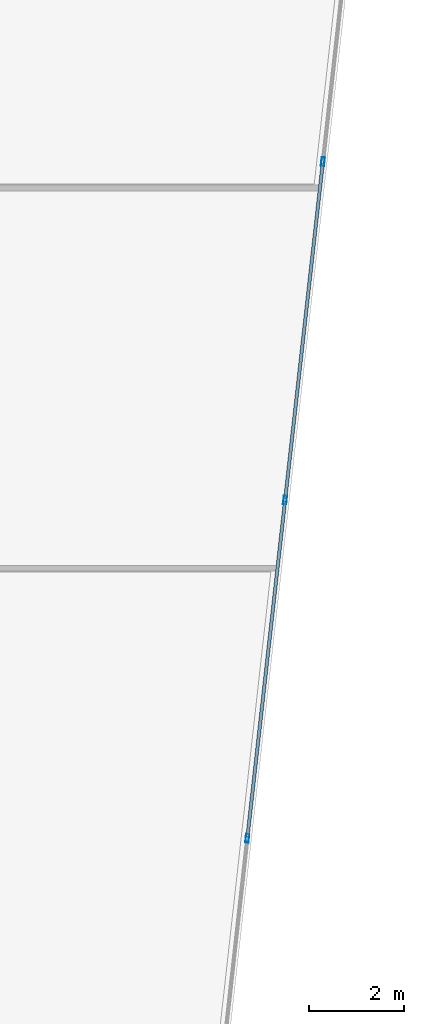
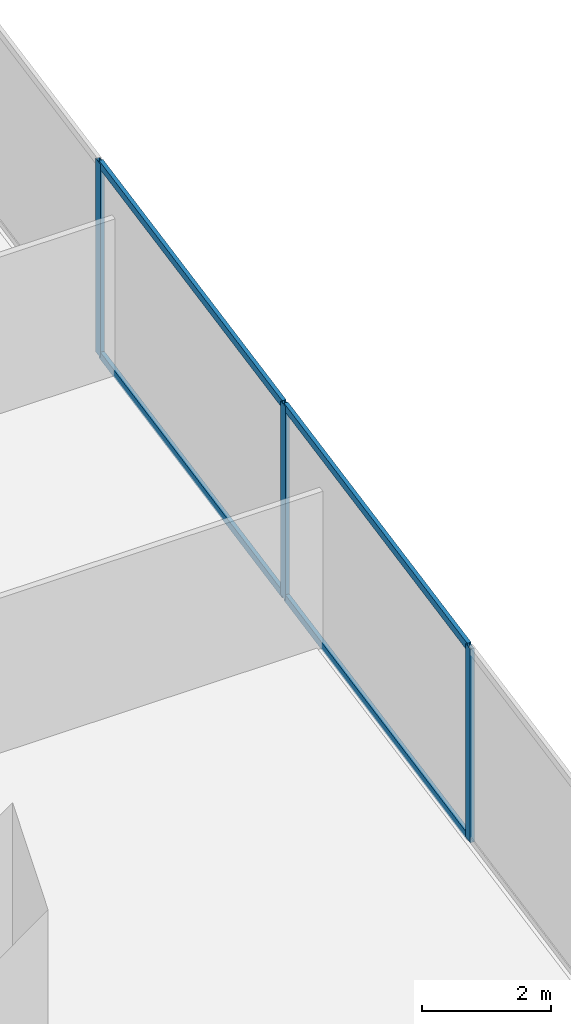
# One storey, part 14 of 31: 7 members, 1 element without a shape of its own.
"""IFC4 building model written with IfcOpenShell, lengths in metres."""

import ifcopenshell
import ifcopenshell.guid

model = None  # the IFC model being written
_history = None  # IfcOwnerHistory: only IFC2X3 demands one
_inside = {}  # id of a spatial element -> (the spatial element, [elements in it])
_under = {}  # id of a project, library or spatial element -> (it, [spatial elements below it])
_declared = {}  # id of a project -> (the project, [libraries it declares])
_typed = {}  # id of a type object -> (the type object, [elements of that type])
_made_of = {}  # id of a material, layer set ... -> (it, [elements and type objects made of it])


def new_model(schema):
    """Start an empty IFC model of exactly this schema.

    Asked for "IFC4X3", IfcOpenShell would pick the latest addendum, in which some entities
    have other attributes; the version numbers below select the first issue.
    IFC2X3 requires an IfcOwnerHistory on every rooted entity: one is made here for all.
    """
    global model, _history
    if schema == "IFC4X3":
        model = ifcopenshell.file(schema_version=(4, 3, 0, 0))
    else:
        model = ifcopenshell.file(schema=schema)
    _inside.clear()
    _under.clear()
    _declared.clear()
    _typed.clear()
    _made_of.clear()
    _history = None
    if model.schema == "IFC2X3":
        org = make("IfcOrganization", Name="unknown")
        user = make(
            "IfcPersonAndOrganization",
            ThePerson=make("IfcPerson", FamilyName="unknown"),
            TheOrganization=org,
        )
        app = make(
            "IfcApplication",
            ApplicationDeveloper=org,
            Version="unknown",
            ApplicationFullName="unknown",
            ApplicationIdentifier="unknown",
        )
        _history = make(
            "IfcOwnerHistory",
            OwningUser=user,
            OwningApplication=app,
            ChangeAction="ADDED",
            CreationDate=0,
        )
    return model


def make(cls, **values):
    """One entity of the class cls with the attributes given. An attribute that is None is left unset."""
    return model.create_entity(
        cls, **{name: value for name, value in values.items() if value is not None}
    )


def rooted(cls, **values):
    """An entity with a GlobalId (a new one), such as an element, a storey or a relation."""
    return make(cls, GlobalId=ifcopenshell.guid.new(), OwnerHistory=_history, **values)


def si_unit(unit_type, name, prefix=None):
    """IfcSIUnit, for example si_unit("LENGTHUNIT", "METRE", prefix="MILLI")."""
    return make("IfcSIUnit", UnitType=unit_type, Prefix=prefix, Name=name)


def assignment(units):
    """IfcUnitAssignment: the units of a project."""
    return None if units is None else make("IfcUnitAssignment", Units=units)


def point(xyz):
    """IfcCartesianPoint."""
    return None if xyz is None else make("IfcCartesianPoint", Coordinates=xyz)


def direction(xyz):
    """IfcDirection."""
    return None if xyz is None else make("IfcDirection", DirectionRatios=xyz)


def frame(location, z_axis=None, x_axis=None):
    """IfcAxis2Placement3D, a coordinate frame: its origin and axes. An axis left out is left unset."""
    return make(
        "IfcAxis2Placement3D",
        Location=point(location),
        Axis=direction(z_axis),
        RefDirection=direction(x_axis),
    )


def frame_2d(location, x_axis=None):
    """IfcAxis2Placement2D, a coordinate frame in the plane: its origin and x axis."""
    return make(
        "IfcAxis2Placement2D", Location=point(location), RefDirection=direction(x_axis)
    )


def origin():
    """The frame at (0, 0, 0) with its axes left unset."""
    return frame((0.0, 0.0, 0.0))


def origin_2d():
    """The frame at (0, 0) in the plane with its x axis left unset."""
    return frame_2d((0.0, 0.0))


def place(relative_to, where):
    """IfcLocalPlacement: puts the frame where relative to a parent placement (None: the world)."""
    return make(
        "IfcLocalPlacement", PlacementRelTo=relative_to, RelativePlacement=where
    )


def context(
    kind, dimensions, precision=None, world=None, true_north=None, identifier=None
):
    """IfcGeometricRepresentationContext, for example the 3D "Model" context."""
    return make(
        "IfcGeometricRepresentationContext",
        ContextIdentifier=identifier,
        ContextType=kind,
        CoordinateSpaceDimension=dimensions,
        Precision=precision,
        WorldCoordinateSystem=world,
        TrueNorth=true_north,
    )


def subcontext(parent, identifier, kind, view, scale=None):
    """IfcGeometricRepresentationSubContext, for example "Body" below "Model"."""
    return make(
        "IfcGeometricRepresentationSubContext",
        ContextIdentifier=identifier,
        ContextType=kind,
        ParentContext=parent,
        TargetScale=scale,
        TargetView=view,
    )


def project(units=None, contexts=None):
    """IfcProject with its units and contexts."""
    return rooted(
        "IfcProject",
        Name="project",
        RepresentationContexts=contexts,
        UnitsInContext=assignment(units),
    )


def spatial(cls, under=None, at=None, **own):
    """A site, building, storey or space (cls), placed at a placement, below another one or the project."""
    s = rooted(cls, ObjectPlacement=at, **own)
    if under is not None:
        _under.setdefault(under.id(), (under, []))[1].append(s)
    return s


def profile(cls, at=None, kind="AREA", **sizes):
    """A parametric profile (cls). Its sizes go by their IFC names, for example OverallWidth=200.0."""
    return make(cls, ProfileType=kind, Position=at, **sizes)


def hollow_rectangle(**sizes):
    """IfcRectangleHollowProfileDef."""
    return profile("IfcRectangleHollowProfileDef", **sizes)


def extrude(swept, where, along, depth):
    """IfcExtrudedAreaSolid: the profile swept, set in the frame where, extruded along a direction by depth."""
    return make(
        "IfcExtrudedAreaSolid",
        SweptArea=swept,
        Position=where,
        ExtrudedDirection=direction(along),
        Depth=depth,
    )


def shape(context_of_items, identifier, shape_type, items):
    """IfcShapeRepresentation: the items that make up one representation, for example the "Body"."""
    return make(
        "IfcShapeRepresentation",
        ContextOfItems=context_of_items,
        RepresentationIdentifier=identifier,
        RepresentationType=shape_type,
        Items=items,
    )


def source(mapping_origin, context_of_items, identifier, shape_type, items):
    """IfcRepresentationMap: a shape defined once, which mapped items show again and again."""
    return make(
        "IfcRepresentationMap",
        MappingOrigin=mapping_origin,
        MappedRepresentation=shape(context_of_items, identifier, shape_type, items),
    )


def transform(
    local_origin,
    x_axis=None,
    y_axis=None,
    z_axis=None,
    scale=None,
    scale2=None,
    scale3=None,
    uniform=True,
):
    """IfcCartesianTransformationOperator3D, or its non-uniform kind. x_axis, y_axis, z_axis: its Axis1, 2, 3."""
    if uniform:
        return make(
            "IfcCartesianTransformationOperator3D",
            Axis1=direction(x_axis),
            Axis2=direction(y_axis),
            LocalOrigin=point(local_origin),
            Scale=scale,
            Axis3=direction(z_axis),
        )
    return make(
        "IfcCartesianTransformationOperator3DnonUniform",
        Axis1=direction(x_axis),
        Axis2=direction(y_axis),
        LocalOrigin=point(local_origin),
        Scale=scale,
        Axis3=direction(z_axis),
        Scale2=scale2,
        Scale3=scale3,
    )


def mapped(mapping_source, mapping_target):
    """IfcMappedItem: shows the shape of a source again, moved by a transform."""
    return make(
        "IfcMappedItem", MappingSource=mapping_source, MappingTarget=mapping_target
    )


def material(Name=None, Category=None):
    """IfcMaterial."""
    return make("IfcMaterial", Name=Name, Category=Category)


def material_profile(
    of_material, cross_section, Name=None, Category=None, Priority=None
):
    """IfcMaterialProfile: a cross section and its material."""
    return make(
        "IfcMaterialProfile",
        Name=Name,
        Material=of_material,
        Profile=cross_section,
        Priority=Priority,
        Category=Category,
    )


def profile_set(profiles, Name=None, composite=None):
    """IfcMaterialProfileSet."""
    return make(
        "IfcMaterialProfileSet",
        Name=Name,
        MaterialProfiles=profiles,
        CompositeProfile=composite,
    )


def made_of(thing, what):
    """Note that an element or type object is made of a material, layer set ...; save() writes the relation."""
    if what is not None:
        _made_of.setdefault(what.id(), (what, []))[1].append(thing)
    return thing


def type_object(cls, material=None, **own):
    """A type object (cls), such as IfcWallType, which elements share."""
    return made_of(rooted(cls, **own), material)


def type_shapes(of_type, sources):
    """Give a type object the sources (RepresentationMaps) that its elements show as mapped items."""
    of_type.RepresentationMaps = sources


def element(
    cls,
    number,
    at=None,
    inside=None,
    cuts=None,
    type_object=None,
    material=None,
    context=None,
    identifier="Body",
    shape_type=None,
    held_by="IfcProductDefinitionShape",
    body=None,
    shapes=None,
    **own,
):
    """One element of the class cls, such as IfcWall. Its Tag is "e" and its number.

    at: its placement. inside: the storey or other place that contains it. cuts: it is an
    opening in that element (IfcRelVoidsElement). A single representation is given by context,
    identifier, shape_type and body (its items); several are given by shapes. held_by: the class
    of the entity that holds the representations. save() writes the other relations.
    """
    e = rooted(cls, Tag="e%d" % number, ObjectPlacement=at, **own)
    if body is not None:
        shapes = [shape(context, identifier, shape_type, body)]
    if shapes is not None:
        e.Representation = make(held_by, Representations=shapes)
    if inside is not None:
        _inside.setdefault(inside.id(), (inside, []))[1].append(e)
    if cuts is not None:
        rooted(
            "IfcRelVoidsElement", RelatingBuildingElement=cuts, RelatedOpeningElement=e
        )
    if type_object is not None:
        _typed.setdefault(type_object.id(), (type_object, []))[1].append(e)
    return made_of(e, material)


def aggregate(whole, parts):
    """IfcRelAggregates: a whole, such as a stair, and the parts it consists of."""
    return rooted("IfcRelAggregates", RelatingObject=whole, RelatedObjects=parts)


def save(model, path):
    """Write the relations noted so far, then the file.

    IfcRelAggregates (storeys below a building ...), IfcRelContainedInSpatialStructure (elements
    in a storey), IfcRelDefinesByType, IfcRelAssociatesMaterial and IfcRelDeclares: one each for
    every whole, place, type object, material and project.
    """
    for whole, parts in _under.values():
        aggregate(whole, parts)
    for where, things in _inside.values():
        rooted(
            "IfcRelContainedInSpatialStructure",
            RelatedElements=things,
            RelatingStructure=where,
        )
    for kind, things in _typed.values():
        rooted("IfcRelDefinesByType", RelatedObjects=things, RelatingType=kind)
    for what, things in _made_of.values():
        rooted("IfcRelAssociatesMaterial", RelatedObjects=things, RelatingMaterial=what)
    for by, libraries in _declared.values():
        rooted("IfcRelDeclares", RelatingContext=by, RelatedDefinitions=libraries)
    model.write(path)


model = new_model("IFC4")

# Units and contexts
model_context = context("Model", 3, precision=1e-05, world=origin(), true_north=direction((0.0, 1.0)))
body_context = subcontext(model_context, "Body", "Model", "MODEL_VIEW")
ifc_project = project(units=[si_unit("LENGTHUNIT", "METRE"), si_unit("AREAUNIT", "SQUARE_METRE"), si_unit("VOLUMEUNIT", "CUBIC_METRE"), si_unit("PLANEANGLEUNIT", "RADIAN"), si_unit("MASSUNIT", "GRAM", prefix="KILO")], contexts=[model_context])

# Site, building, storey
site_placement = place(None, origin())
site = spatial("IfcSite", under=ifc_project, at=site_placement, CompositionType="ELEMENT")
building_placement = place(site_placement, origin())
building = spatial("IfcBuilding", under=site, at=building_placement, Name="Krantzveldt Concourse Tower", CompositionType="ELEMENT")
storey_placement = place(building_placement, frame((0.0, 0.0, 56.60009765625)))
storey = spatial("IfcBuildingStorey", under=building, at=storey_placement, Name="L13", CompositionType="ELEMENT", Elevation=56.60009765625)

# Curtain wall, members
ifc_material = material(Name="Anodised aluminium 6063-T6", Category="aluminium")
curtain_wall_type = type_object("IfcCurtainWallType", Name="CW2", PredefinedType="USERDEFINED", material=ifc_material)
curtain_wall_placement = place(storey_placement, origin())
curtain_wall = element("IfcCurtainWall", 1, at=curtain_wall_placement, inside=storey, type_object=curtain_wall_type, Name="CW-L13-F07", ObjectType="UNITISED CURTAIN WALL", PredefinedType="USERDEFINED")
ifc_material_profile_1 = material_profile(ifc_material, hollow_rectangle(XDim=0.070068359375, YDim=0.179931640625, WallThickness=0.0048828125, at=origin_2d()), Name="Anodised aluminium 6063-T6", Category="aluminium")
ifc_profile_set_1 = profile_set([ifc_material_profile_1], Name="Anodised aluminium 6063-T6 - ALU-MULL 180x70x5")
member_type_1 = type_object("IfcMemberType", Name="CW-MUL-180", PredefinedType="MULLION", material=ifc_profile_set_1)
shared_shape_1 = source(origin(), body_context, "Body", "SweptSolid", [
    extrude(hollow_rectangle(XDim=0.070068359375, YDim=0.179931640625, WallThickness=0.0048828125, at=origin_2d()), origin(), (0.0, 0.0, 1.0), 3.669921875),
])
type_shapes(member_type_1, [shared_shape_1])
member_1_placement = place(storey_placement, frame((59.960205078125, 16.811767578125, 0.0), z_axis=(0.0, 0.0, 1.0), x_axis=(-0.993816458223, 0.111035342863, 0.0)))
member_1 = element("IfcMember", 2, at=member_1_placement, type_object=member_type_1, Name="CW-Z12 mullion 3", PredefinedType="MULLION", context=body_context, shape_type="MappedRepresentation", body=[
    mapped(shared_shape_1, transform((0.0, 0.0, 0.0), x_axis=(1.0, 0.0, 0.0), y_axis=(0.0, 1.0, 0.0), z_axis=(0.0, 0.0, 1.0), scale=1.0)),
])
member_2_placement = place(storey_placement, frame((60.755859375, 23.93408203125, 0.0), z_axis=(0.0, 0.0, 1.0), x_axis=(-0.993816458223, 0.111035342863, 0.0)))
member_2 = element("IfcMember", 3, at=member_2_placement, type_object=member_type_1, Name="CW-Z12 mullion 4", PredefinedType="MULLION", context=body_context, shape_type="MappedRepresentation", body=[
    mapped(shared_shape_1, transform((0.0, 0.0, 0.0), x_axis=(1.0, 0.0, 0.0), y_axis=(0.0, 1.0, 0.0), z_axis=(0.0, 0.0, 1.0), scale=1.0)),
])
member_3_placement = place(storey_placement, frame((61.5517578125, 31.056396484375, 0.0), z_axis=(0.0, 0.0, 1.0), x_axis=(-0.993816458223, 0.111035342863, 0.0)))
member_3 = element("IfcMember", 4, at=member_3_placement, type_object=member_type_1, Name="CW-Z12 mullion 5", PredefinedType="MULLION", context=body_context, shape_type="MappedRepresentation", body=[
    mapped(shared_shape_1, transform((0.0, 0.0, 0.0), x_axis=(1.0, 0.0, 0.0), y_axis=(0.0, 1.0, 0.0), z_axis=(0.0, 0.0, 1.0), scale=1.0)),
])
ifc_material_profile_2 = material_profile(ifc_material, hollow_rectangle(XDim=0.070068359375, YDim=0.139892578125, WallThickness=0.0048828125, at=origin_2d()), Name="Anodised aluminium 6063-T6", Category="aluminium")
ifc_profile_set_2 = profile_set([ifc_material_profile_2], Name="Anodised aluminium 6063-T6 - ALU-TRAN 140x70x5")
member_type_2 = type_object("IfcMemberType", Name="CW-TRN-150", PredefinedType="USERDEFINED", material=ifc_profile_set_2)
shared_shape_2 = source(origin(), body_context, "Body", "SweptSolid", [
    extrude(hollow_rectangle(XDim=0.070068359375, YDim=0.139892578125, WallThickness=0.0048828125, at=origin_2d()), origin(), (0.0, 0.0, 1.0), 7.0966796875),
])
member_4_placement = place(storey_placement, frame((60.759765625, 23.968994140625, 0.034912109375), z_axis=(0.111050746722, 0.993814737088, 0.0), x_axis=(-0.993814737088, 0.111050746722, 0.0)))
member_4 = element("IfcMember", 5, at=member_4_placement, type_object=member_type_2, Name="CW-Z12 transom 4.1", ObjectType="TRANSOM", PredefinedType="USERDEFINED", context=body_context, shape_type="MappedRepresentation", body=[
    mapped(shared_shape_2, transform((0.0, 0.0, 0.0), x_axis=(1.0, 0.0, 0.0), y_axis=(0.0, 1.0, 0.0), z_axis=(0.0, 0.0, 1.0), scale=1.0)),
])
member_5_placement = place(storey_placement, frame((60.759765625, 23.968994140625, 3.635009765625), z_axis=(0.111050746722, 0.993814737088, 0.0), x_axis=(-0.993814737088, 0.111050746722, 0.0)))
member_5 = element("IfcMember", 6, at=member_5_placement, type_object=member_type_2, Name="CW-Z12 transom 4.2", ObjectType="TRANSOM", PredefinedType="USERDEFINED", context=body_context, shape_type="MappedRepresentation", body=[
    mapped(shared_shape_2, transform((0.0, 0.0, 0.0), x_axis=(1.0, 0.0, 0.0), y_axis=(0.0, 1.0, 0.0), z_axis=(0.0, 0.0, 1.0), scale=1.0)),
])
shared_shape_3 = source(origin(), body_context, "Body", "SweptSolid", [
    extrude(hollow_rectangle(XDim=0.070068359375, YDim=0.139892578125, WallThickness=0.0048828125, at=origin_2d()), origin(), (0.0, 0.0, 1.0), 7.096923828125),
])
type_shapes(member_type_2, [shared_shape_2, shared_shape_3])
member_6_placement = place(storey_placement, frame((59.964111328125, 16.846435546875, 0.034912109375), z_axis=(0.111046950076, 0.993815161325, 0.0), x_axis=(-0.993815161325, 0.111046950076, 0.0)))
member_6 = element("IfcMember", 7, at=member_6_placement, type_object=member_type_2, Name="CW-Z12 transom 3.1", ObjectType="TRANSOM", PredefinedType="USERDEFINED", context=body_context, shape_type="MappedRepresentation", body=[
    mapped(shared_shape_3, transform((0.0, 0.0, 0.0), x_axis=(1.0, 0.0, 0.0), y_axis=(0.0, 1.0, 0.0), z_axis=(0.0, 0.0, 1.0), scale=1.0)),
])
member_7_placement = place(storey_placement, frame((59.964111328125, 16.846435546875, 3.635009765625), z_axis=(0.111046950076, 0.993815161325, 0.0), x_axis=(-0.993815161325, 0.111046950076, 0.0)))
member_7 = element("IfcMember", 8, at=member_7_placement, type_object=member_type_2, Name="CW-Z12 transom 3.2", ObjectType="TRANSOM", PredefinedType="USERDEFINED", context=body_context, shape_type="MappedRepresentation", body=[
    mapped(shared_shape_3, transform((0.0, 0.0, 0.0), x_axis=(1.0, 0.0, 0.0), y_axis=(0.0, 1.0, 0.0), z_axis=(0.0, 0.0, 1.0), scale=1.0)),
])
aggregate(curtain_wall, [member_1, member_2, member_3, member_6, member_7, member_4, member_5])

save(model, "model.ifc")
